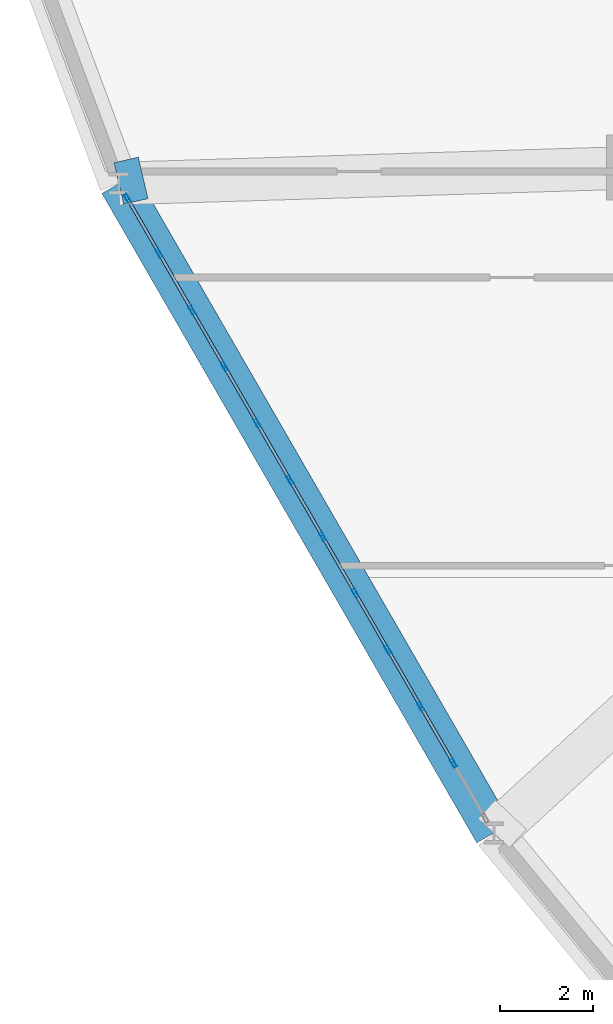
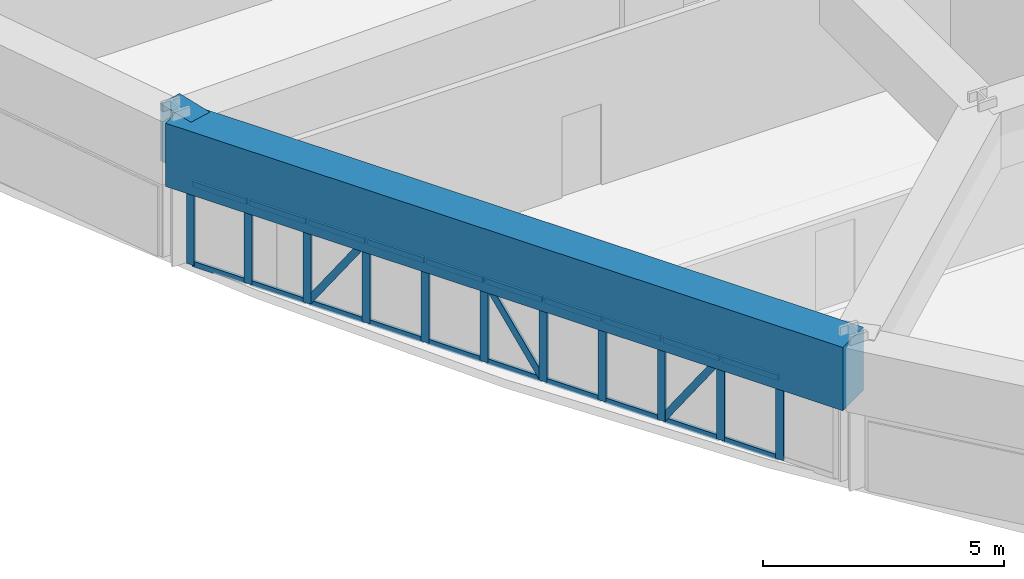
# One storey, part 4 of 20: 34 members, 2 beams, 1 element without a shape of its own.
"""IFC4 building model written with IfcOpenShell, lengths in metres."""

from ifc_helpers import new_model, si_unit, derived_unit, direction, frame, origin, origin_2d, place, context, subcontext, project, spatial, rectangle, hollow_rectangle, extrude, source, transform, mapped, material, layer, layer_set, material_profile, profile_set, type_object, element, aggregate, save


model = new_model("IFC4")

# Units and contexts
model_context = context("Model", 3, precision=1e-05, world=origin(), true_north=direction((0.0, 1.0)))
body_context = subcontext(model_context, "Body", "Model", "MODEL_VIEW")
ifc_project = project(units=[si_unit("LENGTHUNIT", "METRE"), si_unit("AREAUNIT", "SQUARE_METRE"), si_unit("VOLUMEUNIT", "CUBIC_METRE"), si_unit("PLANEANGLEUNIT", "RADIAN"), si_unit("MASSUNIT", "GRAM", prefix="KILO"), derived_unit("THERMALTRANSMITTANCEUNIT", [(si_unit("POWERUNIT", "WATT"), 1), (si_unit("LENGTHUNIT", "METRE"), -2), (si_unit("THERMODYNAMICTEMPERATUREUNIT", "KELVIN"), -1)])], contexts=[model_context])

# Site, building, storey
site_placement = place(None, origin())
site = spatial("IfcSite", under=ifc_project, at=site_placement, CompositionType="ELEMENT")
building_placement = place(site_placement, origin())
building = spatial("IfcBuilding", under=site, at=building_placement, Name="Korsvarv Bourse and Concert Hall", CompositionType="ELEMENT")
storey_placement = place(building_placement, frame((0.0, 0.0, 31.800048828125)))
storey = spatial("IfcBuildingStorey", under=building, at=storey_placement, Name="L07", CompositionType="ELEMENT", Elevation=31.800048828125)

# Beams
ifc_material_1 = material(Name="Concrete C55/67", Category="concrete")
ifc_material_profile_1 = material_profile(ifc_material_1, rectangle(XDim=0.85009765625, YDim=1.60009765625, at=origin_2d()), Name="RC-BM 850x1600")
ifc_profile_set_1 = profile_set([ifc_material_profile_1], Name="Concrete C55/67")
beam_type_1 = type_object("IfcBeamType", Name="BM-TR1B", PredefinedType="BEAM", material=ifc_profile_set_1)
shared_shape_1 = source(origin(), body_context, "Body", "SweptSolid", [
    extrude(rectangle(XDim=0.85009765625, YDim=1.60009765625, at=origin_2d()), origin(), (0.0, 0.0, 1.0), 16.195068359375),
])
beam_1_placement = place(storey_placement, frame((12.970458984375, 32.05419921875, 2.8798828125), z_axis=(0.499993009725, -0.866029439584, 0.0), x_axis=(0.866029439584, 0.499993009725, 0.0)))
element("IfcBeam", 1, at=beam_1_placement, inside=storey, type_object=beam_type_1, Name="L07 beam B-TR2", PredefinedType="BEAM", context=body_context, shape_type="MappedRepresentation", body=[
    mapped(shared_shape_1, transform((0.0, 0.0, 0.0), scale=1.0)),
])
ifc_material_2 = material(Name="Concrete C50/60", Category="concrete")
ifc_material_profile_2 = material_profile(ifc_material_2, rectangle(XDim=0.919921875, YDim=1.43994140625, at=origin_2d()), Name="RC-BM 920x1440")
ifc_profile_set_2 = profile_set([ifc_material_profile_2], Name="Concrete C50/60")
beam_type_2 = type_object("IfcBeamType", Name="BM-TR-144", PredefinedType="BEAM", material=ifc_profile_set_2)
shared_shape_2 = source(origin(), body_context, "Body", "SweptSolid", [
    extrude(rectangle(XDim=0.919921875, YDim=1.43994140625, at=origin_2d()), origin(), (0.0, 0.0, 1.0), 0.538818359375),
])
beam_2_placement = place(storey_placement, frame((12.970458984375, 32.05419921875, 2.9599609375), z_axis=(0.973884647587, 0.227043372937, 0.0), x_axis=(-0.227043372937, 0.973884647587, 0.0)))
element("IfcBeam", 2, at=beam_2_placement, inside=storey, type_object=beam_type_2, Name="L07 beam B-TR4", PredefinedType="BEAM", context=body_context, shape_type="MappedRepresentation", body=[
    mapped(shared_shape_2, transform((0.0, 0.0, 0.0), scale=1.0)),
])

# Curtain wall, members
ifc_material_3 = material(Name="Anodised aluminium and triple low-E glazing", Category="glass")
ifc_layer = layer(ifc_material_3, 0.219970703125)
ifc_layer_set = layer_set([ifc_layer], Name="Anodised aluminium and triple low-E glazing")
curtain_wall_type = type_object("IfcCurtainWallType", Name="CW-SYS-1", PredefinedType="NOTDEFINED", material=ifc_layer_set)
curtain_wall_placement = place(storey_placement, origin())
curtain_wall = element("IfcCurtainWall", 3, at=curtain_wall_placement, inside=storey, type_object=curtain_wall_type, Name="L07 CW1 curtain wall CW-L07-F07", PredefinedType="NOTDEFINED")
ifc_material_4 = material(Name="Extruded aluminium EN AW-6063 T66", Category="aluminium")
ifc_material_profile_3 = material_profile(ifc_material_4, hollow_rectangle(XDim=0.070068359375, YDim=0.18994140625, WallThickness=0.0048828125, at=origin_2d()), Name="ALU-M 70x190")
ifc_profile_set_3 = profile_set([ifc_material_profile_3], Name="Extruded aluminium EN AW-6063 T66")
member_type_1 = type_object("IfcMemberType", Name="CWM-190", PredefinedType="MULLION", material=ifc_profile_set_3)
shared_shape_3 = source(origin(), body_context, "Body", "SweptSolid", [
    extrude(hollow_rectangle(XDim=0.070068359375, YDim=0.18994140625, WallThickness=0.0048828125, at=origin_2d()), origin(), (0.0, 0.0, 1.0), 2.079833984375),
])
member_1_placement = place(storey_placement, frame((13.15380859375, 31.73681640625, 0.0), z_axis=(0.0, 0.0, 1.0), x_axis=(0.866028517121, 0.499994607504, 0.0)))
member_1 = element("IfcMember", 4, at=member_1_placement, type_object=member_type_1, Name="CW1 mullion 1", PredefinedType="MULLION", context=body_context, shape_type="MappedRepresentation", body=[
    mapped(shared_shape_3, transform((0.0, 0.0, 0.0), scale=1.0)),
])
member_2_placement = place(storey_placement, frame((13.84228515625, 30.544189453125, 0.0), z_axis=(0.0, 0.0, 1.0), x_axis=(0.866028517121, 0.499994607504, 0.0)))
member_2 = element("IfcMember", 5, at=member_2_placement, type_object=member_type_1, Name="CW1 mullion 2", PredefinedType="MULLION", context=body_context, shape_type="MappedRepresentation", body=[
    mapped(shared_shape_3, transform((0.0, 0.0, 0.0), scale=1.0)),
])
member_3_placement = place(storey_placement, frame((14.548095703125, 29.3212890625, 0.0), z_axis=(0.0, 0.0, 1.0), x_axis=(0.866028517121, 0.499994607504, 0.0)))
member_3 = element("IfcMember", 6, at=member_3_placement, type_object=member_type_1, Name="CW1 mullion 3", PredefinedType="MULLION", context=body_context, shape_type="MappedRepresentation", body=[
    mapped(shared_shape_3, transform((0.0, 0.0, 0.0), scale=1.0)),
])
member_4_placement = place(storey_placement, frame((15.254150390625, 28.0986328125, 0.0), z_axis=(0.0, 0.0, 1.0), x_axis=(0.866028517121, 0.499994607504, 0.0)))
member_4 = element("IfcMember", 7, at=member_4_placement, type_object=member_type_1, Name="CW1 mullion 4", PredefinedType="MULLION", context=body_context, shape_type="MappedRepresentation", body=[
    mapped(shared_shape_3, transform((0.0, 0.0, 0.0), scale=1.0)),
])
member_5_placement = place(storey_placement, frame((15.960205078125, 26.875732421875, 0.0), z_axis=(0.0, 0.0, 1.0), x_axis=(0.866028517121, 0.499994607504, 0.0)))
member_5 = element("IfcMember", 8, at=member_5_placement, type_object=member_type_1, Name="CW1 mullion 5", PredefinedType="MULLION", context=body_context, shape_type="MappedRepresentation", body=[
    mapped(shared_shape_3, transform((0.0, 0.0, 0.0), scale=1.0)),
])
member_6_placement = place(storey_placement, frame((16.666259765625, 25.65283203125, 0.0), z_axis=(0.0, 0.0, 1.0), x_axis=(0.866028517121, 0.499994607504, 0.0)))
member_6 = element("IfcMember", 9, at=member_6_placement, type_object=member_type_1, Name="CW1 mullion 6", PredefinedType="MULLION", context=body_context, shape_type="MappedRepresentation", body=[
    mapped(shared_shape_3, transform((0.0, 0.0, 0.0), scale=1.0)),
])
member_7_placement = place(storey_placement, frame((17.372314453125, 24.429931640625, 0.0), z_axis=(0.0, 0.0, 1.0), x_axis=(0.866028517121, 0.499994607504, 0.0)))
member_7 = element("IfcMember", 10, at=member_7_placement, type_object=member_type_1, Name="CW1 mullion 7", PredefinedType="MULLION", context=body_context, shape_type="MappedRepresentation", body=[
    mapped(shared_shape_3, transform((0.0, 0.0, 0.0), scale=1.0)),
])
member_8_placement = place(storey_placement, frame((18.078125, 23.207275390625, 0.0), z_axis=(0.0, 0.0, 1.0), x_axis=(0.866028517121, 0.499994607504, 0.0)))
member_8 = element("IfcMember", 11, at=member_8_placement, type_object=member_type_1, Name="CW1 mullion 8", PredefinedType="MULLION", context=body_context, shape_type="MappedRepresentation", body=[
    mapped(shared_shape_3, transform((0.0, 0.0, 0.0), scale=1.0)),
])
member_9_placement = place(storey_placement, frame((18.7841796875, 21.984375, 0.0), z_axis=(0.0, 0.0, 1.0), x_axis=(0.866028517121, 0.499994607504, 0.0)))
member_9 = element("IfcMember", 12, at=member_9_placement, type_object=member_type_1, Name="CW1 mullion 9", PredefinedType="MULLION", context=body_context, shape_type="MappedRepresentation", body=[
    mapped(shared_shape_3, transform((0.0, 0.0, 0.0), scale=1.0)),
])
member_10_placement = place(storey_placement, frame((19.490234375, 20.761474609375, 0.0), z_axis=(0.0, 0.0, 1.0), x_axis=(0.866028517121, 0.499994607504, 0.0)))
member_10 = element("IfcMember", 13, at=member_10_placement, type_object=member_type_1, Name="CW1 mullion 10", PredefinedType="MULLION", context=body_context, shape_type="MappedRepresentation", body=[
    mapped(shared_shape_3, transform((0.0, 0.0, 0.0), scale=1.0)),
])
member_11_placement = place(storey_placement, frame((20.1962890625, 19.53857421875, 0.0), z_axis=(0.0, 0.0, 1.0), x_axis=(0.866028517121, 0.499994607504, 0.0)))
member_11 = element("IfcMember", 14, at=member_11_placement, type_object=member_type_1, Name="CW1 mullion 11", PredefinedType="MULLION", context=body_context, shape_type="MappedRepresentation", body=[
    mapped(shared_shape_3, transform((0.0, 0.0, 0.0), scale=1.0)),
])
ifc_material_profile_4 = material_profile(ifc_material_4, hollow_rectangle(XDim=0.06494140625, YDim=0.139892578125, WallThickness=0.00390625, at=origin_2d()), Name="ALU-T 65x140")
ifc_profile_set_4 = profile_set([ifc_material_profile_4], Name="Extruded aluminium EN AW-6063 T66")
member_type_2 = type_object("IfcMemberType", Name="CWT-140", PredefinedType="USERDEFINED", material=ifc_profile_set_4)
shared_shape_4 = source(origin(), body_context, "Body", "SweptSolid", [
    extrude(hollow_rectangle(XDim=0.06494140625, YDim=0.139892578125, WallThickness=0.00390625, at=origin_2d()), origin(), (0.0, 0.0, 1.0), 1.30712890625),
])
member_12_placement = place(storey_placement, frame((13.171142578125, 31.70654296875, 0.032470703125), z_axis=(0.499975738995, -0.866039410429, 0.0), x_axis=(0.866039410429, 0.499975738995, 0.0)))
member_12 = element("IfcMember", 15, at=member_12_placement, type_object=member_type_2, Name="CW1 transom 1.1", ObjectType="TRANSOM", PredefinedType="USERDEFINED", context=body_context, shape_type="MappedRepresentation", body=[
    mapped(shared_shape_4, transform((0.0, 0.0, 0.0), scale=1.0)),
])
member_13_placement = place(storey_placement, frame((13.171142578125, 31.70654296875, 2.04736328125), z_axis=(0.499975738995, -0.866039410429, 0.0), x_axis=(0.866039410429, 0.499975738995, 0.0)))
member_13 = element("IfcMember", 16, at=member_13_placement, type_object=member_type_2, Name="CW1 transom 1.2", ObjectType="TRANSOM", PredefinedType="USERDEFINED", context=body_context, shape_type="MappedRepresentation", body=[
    mapped(shared_shape_4, transform((0.0, 0.0, 0.0), scale=1.0)),
])
shared_shape_5 = source(origin(), body_context, "Body", "SweptSolid", [
    extrude(hollow_rectangle(XDim=0.06494140625, YDim=0.139892578125, WallThickness=0.00390625, at=origin_2d()), origin(), (0.0, 0.0, 1.0), 1.342041015625),
])
member_14_placement = place(storey_placement, frame((13.859619140625, 30.513916015625, 0.032470703125), z_axis=(0.500110886074, -0.865961374214, 0.0), x_axis=(0.865961374214, 0.500110886074, 0.0)))
member_14 = element("IfcMember", 17, at=member_14_placement, type_object=member_type_2, Name="CW1 transom 2.1", ObjectType="TRANSOM", PredefinedType="USERDEFINED", context=body_context, shape_type="MappedRepresentation", body=[
    mapped(shared_shape_5, transform((0.0, 0.0, 0.0), scale=1.0)),
])
member_15_placement = place(storey_placement, frame((13.859619140625, 30.513916015625, 2.04736328125), z_axis=(0.500110886074, -0.865961374214, 0.0), x_axis=(0.865961374214, 0.500110886074, 0.0)))
member_15 = element("IfcMember", 18, at=member_15_placement, type_object=member_type_2, Name="CW1 transom 2.2", ObjectType="TRANSOM", PredefinedType="USERDEFINED", context=body_context, shape_type="MappedRepresentation", body=[
    mapped(shared_shape_5, transform((0.0, 0.0, 0.0), scale=1.0)),
])
member_16_placement = place(storey_placement, frame((14.565673828125, 29.291015625, 0.032470703125), z_axis=(0.500110886074, -0.865961374214, 0.0), x_axis=(0.865961374214, 0.500110886074, 0.0)))
member_16 = element("IfcMember", 19, at=member_16_placement, type_object=member_type_2, Name="CW1 transom 3.1", ObjectType="TRANSOM", PredefinedType="USERDEFINED", context=body_context, shape_type="MappedRepresentation", body=[
    mapped(shared_shape_5, transform((0.0, 0.0, 0.0), scale=1.0)),
])
member_17_placement = place(storey_placement, frame((14.565673828125, 29.291015625, 2.04736328125), z_axis=(0.500110886074, -0.865961374214, 0.0), x_axis=(0.865961374214, 0.500110886074, 0.0)))
member_17 = element("IfcMember", 20, at=member_17_placement, type_object=member_type_2, Name="CW1 transom 3.2", ObjectType="TRANSOM", PredefinedType="USERDEFINED", context=body_context, shape_type="MappedRepresentation", body=[
    mapped(shared_shape_5, transform((0.0, 0.0, 0.0), scale=1.0)),
])
member_18_placement = place(storey_placement, frame((15.271728515625, 28.068359375, 0.032470703125), z_axis=(0.49989567431, -0.866085627872, 0.0), x_axis=(0.866085627872, 0.49989567431, 0.0)))
member_18 = element("IfcMember", 21, at=member_18_placement, type_object=member_type_2, Name="CW1 transom 4.1", ObjectType="TRANSOM", PredefinedType="USERDEFINED", context=body_context, shape_type="MappedRepresentation", body=[
    mapped(shared_shape_5, transform((0.0, 0.0, 0.0), scale=1.0)),
])
member_19_placement = place(storey_placement, frame((15.271728515625, 28.068359375, 2.04736328125), z_axis=(0.49989567431, -0.866085627872, 0.0), x_axis=(0.866085627872, 0.49989567431, 0.0)))
member_19 = element("IfcMember", 22, at=member_19_placement, type_object=member_type_2, Name="CW1 transom 4.2", ObjectType="TRANSOM", PredefinedType="USERDEFINED", context=body_context, shape_type="MappedRepresentation", body=[
    mapped(shared_shape_5, transform((0.0, 0.0, 0.0), scale=1.0)),
])
member_20_placement = place(storey_placement, frame((15.977783203125, 26.845458984375, 0.032470703125), z_axis=(0.49989567431, -0.866085627872, 0.0), x_axis=(0.866085627872, 0.49989567431, 0.0)))
member_20 = element("IfcMember", 23, at=member_20_placement, type_object=member_type_2, Name="CW1 transom 5.1", ObjectType="TRANSOM", PredefinedType="USERDEFINED", context=body_context, shape_type="MappedRepresentation", body=[
    mapped(shared_shape_5, transform((0.0, 0.0, 0.0), scale=1.0)),
])
member_21_placement = place(storey_placement, frame((15.977783203125, 26.845458984375, 2.04736328125), z_axis=(0.49989567431, -0.866085627872, 0.0), x_axis=(0.866085627872, 0.49989567431, 0.0)))
member_21 = element("IfcMember", 24, at=member_21_placement, type_object=member_type_2, Name="CW1 transom 5.2", ObjectType="TRANSOM", PredefinedType="USERDEFINED", context=body_context, shape_type="MappedRepresentation", body=[
    mapped(shared_shape_5, transform((0.0, 0.0, 0.0), scale=1.0)),
])
member_22_placement = place(storey_placement, frame((16.68359375, 25.62255859375, 0.032470703125), z_axis=(0.500110886074, -0.865961374214, 0.0), x_axis=(0.865961374214, 0.500110886074, 0.0)))
member_22 = element("IfcMember", 25, at=member_22_placement, type_object=member_type_2, Name="CW1 transom 6.1", ObjectType="TRANSOM", PredefinedType="USERDEFINED", context=body_context, shape_type="MappedRepresentation", body=[
    mapped(shared_shape_5, transform((0.0, 0.0, 0.0), scale=1.0)),
])
member_23_placement = place(storey_placement, frame((16.68359375, 25.62255859375, 2.04736328125), z_axis=(0.500110886074, -0.865961374214, 0.0), x_axis=(0.865961374214, 0.500110886074, 0.0)))
member_23 = element("IfcMember", 26, at=member_23_placement, type_object=member_type_2, Name="CW1 transom 6.2", ObjectType="TRANSOM", PredefinedType="USERDEFINED", context=body_context, shape_type="MappedRepresentation", body=[
    mapped(shared_shape_5, transform((0.0, 0.0, 0.0), scale=1.0)),
])
member_24_placement = place(storey_placement, frame((17.3896484375, 24.399658203125, 0.032470703125), z_axis=(0.500110886074, -0.865961374214, 0.0), x_axis=(0.865961374214, 0.500110886074, 0.0)))
member_24 = element("IfcMember", 27, at=member_24_placement, type_object=member_type_2, Name="CW1 transom 7.1", ObjectType="TRANSOM", PredefinedType="USERDEFINED", context=body_context, shape_type="MappedRepresentation", body=[
    mapped(shared_shape_5, transform((0.0, 0.0, 0.0), scale=1.0)),
])
member_25_placement = place(storey_placement, frame((17.3896484375, 24.399658203125, 2.04736328125), z_axis=(0.500110886074, -0.865961374214, 0.0), x_axis=(0.865961374214, 0.500110886074, 0.0)))
member_25 = element("IfcMember", 28, at=member_25_placement, type_object=member_type_2, Name="CW1 transom 7.2", ObjectType="TRANSOM", PredefinedType="USERDEFINED", context=body_context, shape_type="MappedRepresentation", body=[
    mapped(shared_shape_5, transform((0.0, 0.0, 0.0), scale=1.0)),
])
member_26_placement = place(storey_placement, frame((18.8017578125, 21.9541015625, 0.032470703125), z_axis=(0.49989567431, -0.866085627872, 0.0), x_axis=(0.866085627872, 0.49989567431, 0.0)))
member_26 = element("IfcMember", 29, at=member_26_placement, type_object=member_type_2, Name="CW1 transom 9.1", ObjectType="TRANSOM", PredefinedType="USERDEFINED", context=body_context, shape_type="MappedRepresentation", body=[
    mapped(shared_shape_5, transform((0.0, 0.0, 0.0), scale=1.0)),
])
member_27_placement = place(storey_placement, frame((18.8017578125, 21.9541015625, 2.04736328125), z_axis=(0.49989567431, -0.866085627872, 0.0), x_axis=(0.866085627872, 0.49989567431, 0.0)))
member_27 = element("IfcMember", 30, at=member_27_placement, type_object=member_type_2, Name="CW1 transom 9.2", ObjectType="TRANSOM", PredefinedType="USERDEFINED", context=body_context, shape_type="MappedRepresentation", body=[
    mapped(shared_shape_5, transform((0.0, 0.0, 0.0), scale=1.0)),
])
member_28_placement = place(storey_placement, frame((19.5078125, 20.731201171875, 0.032470703125), z_axis=(0.49989567431, -0.866085627872, 0.0), x_axis=(0.866085627872, 0.49989567431, 0.0)))
member_28 = element("IfcMember", 31, at=member_28_placement, type_object=member_type_2, Name="CW1 transom 10.1", ObjectType="TRANSOM", PredefinedType="USERDEFINED", context=body_context, shape_type="MappedRepresentation", body=[
    mapped(shared_shape_5, transform((0.0, 0.0, 0.0), scale=1.0)),
])
member_29_placement = place(storey_placement, frame((19.5078125, 20.731201171875, 2.04736328125), z_axis=(0.49989567431, -0.866085627872, 0.0), x_axis=(0.866085627872, 0.49989567431, 0.0)))
member_29 = element("IfcMember", 32, at=member_29_placement, type_object=member_type_2, Name="CW1 transom 10.2", ObjectType="TRANSOM", PredefinedType="USERDEFINED", context=body_context, shape_type="MappedRepresentation", body=[
    mapped(shared_shape_5, transform((0.0, 0.0, 0.0), scale=1.0)),
])
ifc_material_profile_5 = material_profile(ifc_material_4, hollow_rectangle(XDim=0.06494140625, YDim=0.1650390625, WallThickness=0.0048828125, at=origin_2d()), Name="ALU-M 65x165")
ifc_profile_set_5 = profile_set([ifc_material_profile_5], Name="Extruded aluminium EN AW-6063 T66")
member_type_3 = type_object("IfcMemberType", Name="CWM-165", PredefinedType="MULLION", material=ifc_profile_set_5)
shared_shape_6 = source(origin(), body_context, "Body", "SweptSolid", [
    extrude(hollow_rectangle(XDim=0.06494140625, YDim=0.1650390625, WallThickness=0.0048828125, at=origin_2d()), origin(), (0.0, 0.0, 1.0), 2.3671875),
])
member_30_placement = place(storey_placement, frame((14.565673828125, 29.291015625, 0.06494140625), z_axis=(0.283527490774, -0.490938834517, 0.823766485564), x_axis=(0.865961374214, 0.500110886074, 0.0)))
member_30 = element("IfcMember", 33, at=member_30_placement, type_object=member_type_3, Name="CW1 diagonal mullion 3", PredefinedType="MULLION", context=body_context, shape_type="MappedRepresentation", body=[
    mapped(shared_shape_6, transform((0.0, 0.0, 0.0), scale=1.0)),
])
member_31_placement = place(storey_placement, frame((17.354736328125, 24.46044921875, 0.06494140625), z_axis=(-0.283527490774, 0.490938834517, 0.823766485564), x_axis=(-0.865961374214, -0.500110886074, 0.0)))
member_31 = element("IfcMember", 34, at=member_31_placement, type_object=member_type_3, Name="CW1 diagonal mullion 6", PredefinedType="MULLION", context=body_context, shape_type="MappedRepresentation", body=[
    mapped(shared_shape_6, transform((0.0, 0.0, 0.0), scale=1.0)),
])
member_32_placement = place(storey_placement, frame((18.8017578125, 21.9541015625, 0.06494140625), z_axis=(0.283418286508, -0.491031463634, 0.823748855292), x_axis=(0.866085627872, 0.49989567431, 0.0)))
member_32 = element("IfcMember", 35, at=member_32_placement, type_object=member_type_3, Name="CW1 diagonal mullion 9", PredefinedType="MULLION", context=body_context, shape_type="MappedRepresentation", body=[
    mapped(shared_shape_6, transform((0.0, 0.0, 0.0), scale=1.0)),
])
shared_shape_7 = source(origin(), body_context, "Body", "SweptSolid", [
    extrude(hollow_rectangle(XDim=0.06494140625, YDim=0.139892578125, WallThickness=0.00390625, at=origin_2d()), origin(), (0.0, 0.0, 1.0), 1.341796875),
])
member_33_placement = place(storey_placement, frame((18.095703125, 23.1767578125, 0.032470703125), z_axis=(0.499974444137, -0.866040157966, 0.0), x_axis=(0.866040157966, 0.499974444137, 0.0)))
member_33 = element("IfcMember", 36, at=member_33_placement, type_object=member_type_2, Name="CW1 transom 8.1", ObjectType="TRANSOM", PredefinedType="USERDEFINED", context=body_context, shape_type="MappedRepresentation", body=[
    mapped(shared_shape_7, transform((0.0, 0.0, 0.0), scale=1.0)),
])
member_34_placement = place(storey_placement, frame((18.095703125, 23.1767578125, 2.04736328125), z_axis=(0.499974444137, -0.866040157966, 0.0), x_axis=(0.866040157966, 0.499974444137, 0.0)))
member_34 = element("IfcMember", 37, at=member_34_placement, type_object=member_type_2, Name="CW1 transom 8.2", ObjectType="TRANSOM", PredefinedType="USERDEFINED", context=body_context, shape_type="MappedRepresentation", body=[
    mapped(shared_shape_7, transform((0.0, 0.0, 0.0), scale=1.0)),
])
aggregate(curtain_wall, [member_1, member_2, member_3, member_4, member_5, member_6, member_7, member_8, member_9, member_10, member_11, member_12, member_13, member_14, member_15, member_16, member_17, member_30, member_18, member_19, member_20, member_21, member_22, member_23, member_31, member_24, member_25, member_33, member_34, member_26, member_27, member_32, member_28, member_29])

save(model, "model.ifc")
